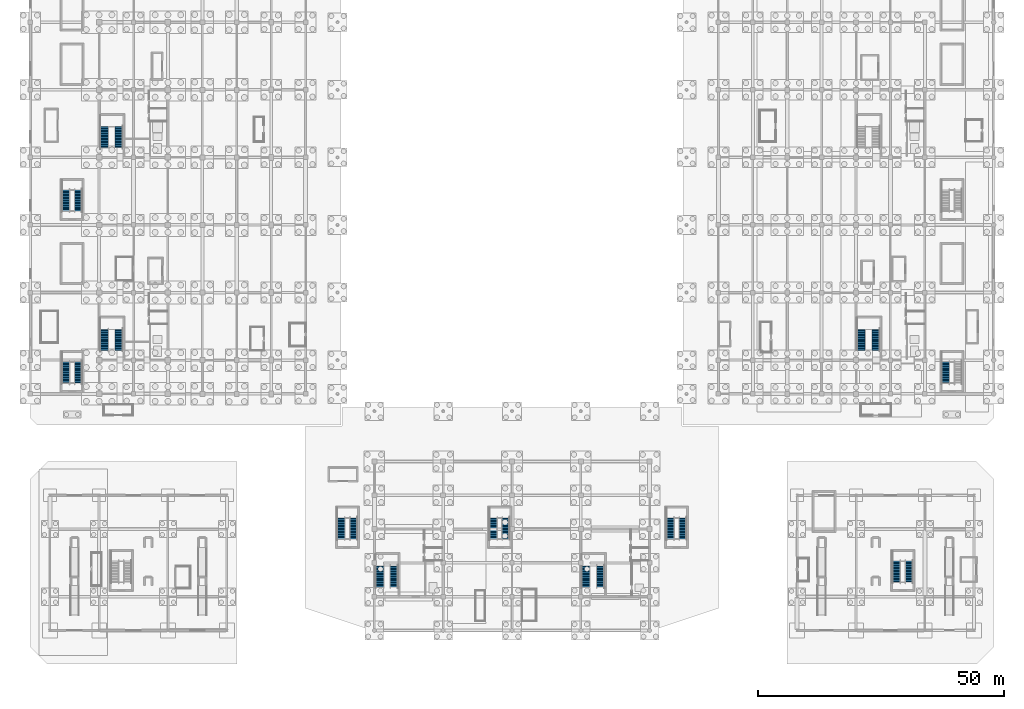
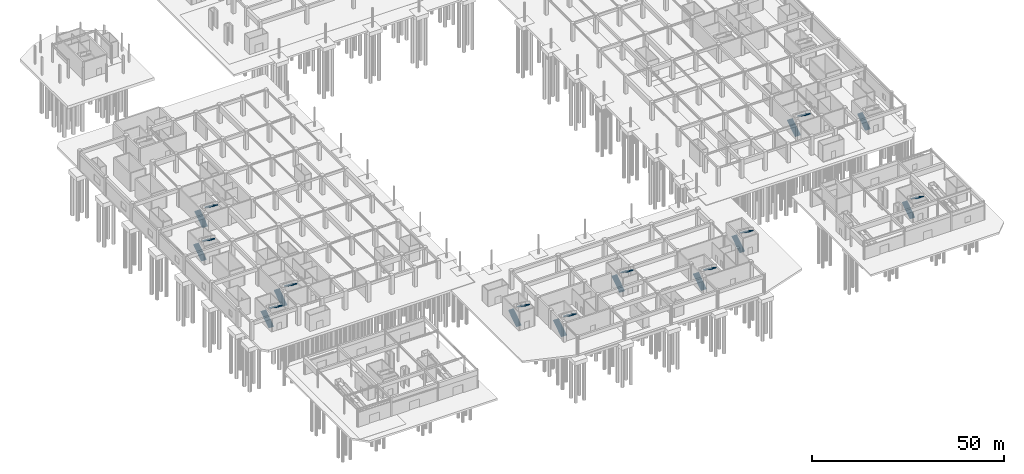
# One storey, part 52 of 62: 23 stair flights, 12 elements without a shape of their own.
"""IFC4 building model written with IfcOpenShell, lengths in metres."""

from ifc_helpers import new_model, si_unit, direction, frame, origin, place, context, subcontext, project, spatial, polyline, outline, extrude, material, type_object, element, aggregate, save


model = new_model("IFC4")

# Units and contexts
model_context = context("Model", 3, precision=1e-05, world=origin(), true_north=direction((0.0, 1.0)))
body_context = subcontext(model_context, "Body", "Model", "MODEL_VIEW")
ifc_project = project(units=[si_unit("LENGTHUNIT", "METRE"), si_unit("AREAUNIT", "SQUARE_METRE"), si_unit("VOLUMEUNIT", "CUBIC_METRE"), si_unit("PLANEANGLEUNIT", "RADIAN"), si_unit("MASSUNIT", "GRAM", prefix="KILO")], contexts=[model_context])

# Site, building, storey
site_placement = place(None, origin())
site = spatial("IfcSite", under=ifc_project, at=site_placement, CompositionType="ELEMENT")
building_placement = place(site_placement, origin())
building = spatial("IfcBuilding", under=site, at=building_placement, Name="Linyun Crest Stadium", CompositionType="ELEMENT")
storey_placement = place(building_placement, frame((0.0, 0.0, -6.0)))
storey = spatial("IfcBuildingStorey", under=building, at=storey_placement, Name="B1", CompositionType="ELEMENT", Elevation=-6.0)

# Stair, stair flights
ifc_material_1 = material(Name="Concrete C40", Category="concrete")
stair_type = type_object("IfcStairType", Name="STA01", PredefinedType="HALF_TURN_STAIR", material=ifc_material_1)
stair_1_placement = place(storey_placement, origin())
stair_1 = element("IfcStair", 1, at=stair_1_placement, inside=storey, type_object=stair_type, Name="Evacuation stair STR-01-B1", PredefinedType="HALF_TURN_STAIR")
ifc_material_2 = material(Name="Concrete C40", Category="concrete")
stair_flight_type_1 = type_object("IfcStairFlightType", Name="STF01", PredefinedType="STRAIGHT", material=ifc_material_2)
stair_flight_1_placement = place(storey_placement, frame((-82.9599609375, -37.135009765625, 0.0), z_axis=(0.0, 0.0, 1.0), x_axis=(0.0, 1.0, 0.0)))
stair_flight_1 = element("IfcStairFlight", 2, at=stair_flight_1_placement, type_object=stair_flight_type_1, Name="STR-01-B1 flight 1", NumberOfRisers=18, NumberOfTreads=17, PredefinedType="STRAIGHT", RiserHeight=0.166666667, TreadLength=0.25, context=body_context, shape_type="SweptSolid", body=[
    extrude(outline(polyline([(0.0, 0.0), (0.0, 0.166748046875), (0.25, 0.166748046875), (0.25, 0.333251953125), (0.5, 0.333251953125), (0.5, 0.5), (0.75, 0.5), (0.75, 0.666748046875), (1.0, 0.666748046875), (1.0, 0.833251953125), (1.25, 0.833251953125), (1.25, 1.0), (1.5, 1.0), (1.5, 1.166748046875), (1.75, 1.166748046875), (1.75, 1.333251953125), (2.0, 1.333251953125), (2.0, 1.5), (2.25, 1.5), (2.25, 1.666748046875), (2.5, 1.666748046875), (2.5, 1.833251953125), (2.75, 1.833251953125), (2.75, 2.0), (3.0, 2.0), (3.0, 2.166748046875), (3.25, 2.166748046875), (3.25, 2.333251953125), (3.5, 2.333251953125), (3.5, 2.5), (3.75, 2.5), (3.75, 2.666748046875), (4.0, 2.666748046875), (4.0, 2.833251953125), (4.25, 2.833251953125), (4.25, 3.0), (4.25, 2.6171875), (0.324462890625, 0.0), (0.0, 0.0)])), frame((0.0, 0.824951171875, 0.0), z_axis=(0.0, -1.0, 0.0), x_axis=(1.0, 0.0, 0.0)), (0.0, 0.0, 1.0), 1.64990234375),
])
stair_flight_2_placement = place(storey_placement, frame((-79.965087890625, -32.885009765625, 3.0), z_axis=(0.0, 0.0, 1.0), x_axis=(0.0, -1.0, 0.0)))
stair_flight_2 = element("IfcStairFlight", 3, at=stair_flight_2_placement, type_object=stair_flight_type_1, Name="STR-01-B1 flight 2", NumberOfRisers=18, NumberOfTreads=17, PredefinedType="STRAIGHT", RiserHeight=0.166666667, TreadLength=0.25, context=body_context, shape_type="SweptSolid", body=[
    extrude(outline(polyline([(0.0, 0.0), (0.0, 0.166748046875), (0.25, 0.166748046875), (0.25, 0.333251953125), (0.5, 0.333251953125), (0.5, 0.5), (0.75, 0.5), (0.75, 0.666748046875), (1.0, 0.666748046875), (1.0, 0.833251953125), (1.25, 0.833251953125), (1.25, 1.0), (1.5, 1.0), (1.5, 1.166748046875), (1.75, 1.166748046875), (1.75, 1.333251953125), (2.0, 1.333251953125), (2.0, 1.5), (2.25, 1.5), (2.25, 1.666748046875), (2.5, 1.666748046875), (2.5, 1.833251953125), (2.75, 1.833251953125), (2.75, 2.0), (3.0, 2.0), (3.0, 2.166748046875), (3.25, 2.166748046875), (3.25, 2.333251953125), (3.5, 2.333251953125), (3.5, 2.5), (3.75, 2.5), (3.75, 2.666748046875), (4.0, 2.666748046875), (4.0, 2.833251953125), (4.25, 2.833251953125), (4.25, 3.0), (4.25, 2.6171875), (0.324462890625, 0.0), (0.0, 0.0)])), frame((0.0, 0.824951171875, 0.0), z_axis=(0.0, -1.0, 0.0), x_axis=(1.0, 0.0, 0.0)), (0.0, 0.0, 1.0), 1.64990234375),
])
aggregate(stair_1, [stair_flight_1, stair_flight_2])

stair_2_placement = place(storey_placement, origin())
stair_2 = element("IfcStair", 4, at=stair_2_placement, inside=storey, type_object=stair_type, Name="Evacuation stair STR-02-B1", PredefinedType="HALF_TURN_STAIR")
stair_flight_3_placement = place(storey_placement, frame((-82.93505859375, 4.114990234375, 0.0), z_axis=(0.0, 0.0, 1.0), x_axis=(0.0, 1.0, 0.0)))
stair_flight_3 = element("IfcStairFlight", 5, at=stair_flight_3_placement, type_object=stair_flight_type_1, Name="STR-02-B1 flight 1", NumberOfRisers=18, NumberOfTreads=17, PredefinedType="STRAIGHT", RiserHeight=0.166666667, TreadLength=0.25, context=body_context, shape_type="SweptSolid", body=[
    extrude(outline(polyline([(0.0, 0.0), (0.0, 0.166748046875), (0.25, 0.166748046875), (0.25, 0.333251953125), (0.5, 0.333251953125), (0.5, 0.5), (0.75, 0.5), (0.75, 0.666748046875), (1.0, 0.666748046875), (1.0, 0.833251953125), (1.25, 0.833251953125), (1.25, 1.0), (1.5, 1.0), (1.5, 1.166748046875), (1.75, 1.166748046875), (1.75, 1.333251953125), (2.0, 1.333251953125), (2.0, 1.5), (2.25, 1.5), (2.25, 1.666748046875), (2.5, 1.666748046875), (2.5, 1.833251953125), (2.75, 1.833251953125), (2.75, 2.0), (3.0, 2.0), (3.0, 2.166748046875), (3.25, 2.166748046875), (3.25, 2.333251953125), (3.5, 2.333251953125), (3.5, 2.5), (3.75, 2.5), (3.75, 2.666748046875), (4.0, 2.666748046875), (4.0, 2.833251953125), (4.25, 2.833251953125), (4.25, 3.0), (4.25, 2.6171875), (0.324462890625, 0.0), (0.0, 0.0)])), frame((0.0, 0.824951171875, 0.0), z_axis=(0.0, -1.0, 0.0), x_axis=(1.0, 0.0, 0.0)), (0.0, 0.0, 1.0), 1.64990234375),
])
stair_flight_4_placement = place(storey_placement, frame((-79.965087890625, 8.364990234375, 3.0), z_axis=(0.0, 0.0, 1.0), x_axis=(0.0, -1.0, 0.0)))
stair_flight_4 = element("IfcStairFlight", 6, at=stair_flight_4_placement, type_object=stair_flight_type_1, Name="STR-02-B1 flight 2", NumberOfRisers=18, NumberOfTreads=17, PredefinedType="STRAIGHT", RiserHeight=0.166666667, TreadLength=0.25, context=body_context, shape_type="SweptSolid", body=[
    extrude(outline(polyline([(0.0, 0.0), (0.0, 0.166748046875), (0.25, 0.166748046875), (0.25, 0.333251953125), (0.5, 0.333251953125), (0.5, 0.5), (0.75, 0.5), (0.75, 0.666748046875), (1.0, 0.666748046875), (1.0, 0.833251953125), (1.25, 0.833251953125), (1.25, 1.0), (1.5, 1.0), (1.5, 1.166748046875), (1.75, 1.166748046875), (1.75, 1.333251953125), (2.0, 1.333251953125), (2.0, 1.5), (2.25, 1.5), (2.25, 1.666748046875), (2.5, 1.666748046875), (2.5, 1.833251953125), (2.75, 1.833251953125), (2.75, 2.0), (3.0, 2.0), (3.0, 2.166748046875), (3.25, 2.166748046875), (3.25, 2.333251953125), (3.5, 2.333251953125), (3.5, 2.5), (3.75, 2.5), (3.75, 2.666748046875), (4.0, 2.666748046875), (4.0, 2.833251953125), (4.25, 2.833251953125), (4.25, 3.0), (4.25, 2.6171875), (0.324462890625, 0.0), (0.0, 0.0)])), frame((0.0, 0.824951171875, 0.0), z_axis=(0.0, -1.0, 0.0), x_axis=(1.0, 0.0, 0.0)), (0.0, 0.0, 1.0), 1.64990234375),
])
aggregate(stair_2, [stair_flight_3, stair_flight_4])

stair_3_placement = place(storey_placement, origin())
stair_3 = element("IfcStair", 7, at=stair_3_placement, inside=storey, type_object=stair_type, Name="Evacuation stair STR-04-B1", PredefinedType="HALF_TURN_STAIR")
stair_flight_5_placement = place(storey_placement, frame((71.0400390625, -37.135009765625, 0.0), z_axis=(0.0, 0.0, 1.0), x_axis=(0.0, 1.0, 0.0)))
stair_flight_5 = element("IfcStairFlight", 8, at=stair_flight_5_placement, type_object=stair_flight_type_1, Name="STR-04-B1 flight 1", NumberOfRisers=18, NumberOfTreads=17, PredefinedType="STRAIGHT", RiserHeight=0.166666667, TreadLength=0.25, context=body_context, shape_type="SweptSolid", body=[
    extrude(outline(polyline([(0.0, 0.0), (0.0, 0.166748046875), (0.25, 0.166748046875), (0.25, 0.333251953125), (0.5, 0.333251953125), (0.5, 0.5), (0.75, 0.5), (0.75, 0.666748046875), (1.0, 0.666748046875), (1.0, 0.833251953125), (1.25, 0.833251953125), (1.25, 1.0), (1.5, 1.0), (1.5, 1.166748046875), (1.75, 1.166748046875), (1.75, 1.333251953125), (2.0, 1.333251953125), (2.0, 1.5), (2.25, 1.5), (2.25, 1.666748046875), (2.5, 1.666748046875), (2.5, 1.833251953125), (2.75, 1.833251953125), (2.75, 2.0), (3.0, 2.0), (3.0, 2.166748046875), (3.25, 2.166748046875), (3.25, 2.333251953125), (3.5, 2.333251953125), (3.5, 2.5), (3.75, 2.5), (3.75, 2.666748046875), (4.0, 2.666748046875), (4.0, 2.833251953125), (4.25, 2.833251953125), (4.25, 3.0), (4.25, 2.6171875), (0.324462890625, 0.0), (0.0, 0.0)])), frame((0.0, 0.824951171875, 0.0), z_axis=(0.0, -1.0, 0.0), x_axis=(1.0, 0.0, 0.0)), (0.0, 0.0, 1.0), 1.64990234375),
])
stair_flight_6_placement = place(storey_placement, frame((74.034912109375, -32.885009765625, 3.0), z_axis=(0.0, 0.0, 1.0), x_axis=(0.0, -1.0, 0.0)))
stair_flight_6 = element("IfcStairFlight", 9, at=stair_flight_6_placement, type_object=stair_flight_type_1, Name="STR-04-B1 flight 2", NumberOfRisers=18, NumberOfTreads=17, PredefinedType="STRAIGHT", RiserHeight=0.166666667, TreadLength=0.25, context=body_context, shape_type="SweptSolid", body=[
    extrude(outline(polyline([(0.0, 0.0), (0.0, 0.166748046875), (0.25, 0.166748046875), (0.25, 0.333251953125), (0.5, 0.333251953125), (0.5, 0.5), (0.75, 0.5), (0.75, 0.666748046875), (1.0, 0.666748046875), (1.0, 0.833251953125), (1.25, 0.833251953125), (1.25, 1.0), (1.5, 1.0), (1.5, 1.166748046875), (1.75, 1.166748046875), (1.75, 1.333251953125), (2.0, 1.333251953125), (2.0, 1.5), (2.25, 1.5), (2.25, 1.666748046875), (2.5, 1.666748046875), (2.5, 1.833251953125), (2.75, 1.833251953125), (2.75, 2.0), (3.0, 2.0), (3.0, 2.166748046875), (3.25, 2.166748046875), (3.25, 2.333251953125), (3.5, 2.333251953125), (3.5, 2.5), (3.75, 2.5), (3.75, 2.666748046875), (4.0, 2.666748046875), (4.0, 2.833251953125), (4.25, 2.833251953125), (4.25, 3.0), (4.25, 2.6171875), (0.324462890625, 0.0), (0.0, 0.0)])), frame((0.0, 0.824951171875, 0.0), z_axis=(0.0, -1.0, 0.0), x_axis=(1.0, 0.0, 0.0)), (0.0, 0.0, 1.0), 1.64990234375),
])
aggregate(stair_3, [stair_flight_5, stair_flight_6])

stair_4_placement = place(storey_placement, origin())
stair_4 = element("IfcStair", 10, at=stair_4_placement, inside=storey, type_object=stair_type, Name="Evacuation stair STR-09-B1", PredefinedType="HALF_TURN_STAIR")
stair_flight_7_placement = place(storey_placement, frame((-26.909912109375, -85.260009765625, 0.0), z_axis=(0.0, 0.0, 1.0), x_axis=(0.0, 1.0, 0.0)))
stair_flight_7 = element("IfcStairFlight", 11, at=stair_flight_7_placement, type_object=stair_flight_type_1, Name="STR-09-B1 flight 1", NumberOfRisers=18, NumberOfTreads=17, PredefinedType="STRAIGHT", RiserHeight=0.166666667, TreadLength=0.25, context=body_context, shape_type="SweptSolid", body=[
    extrude(outline(polyline([(0.0, 0.0), (0.0, 0.166748046875), (0.25, 0.166748046875), (0.25, 0.333251953125), (0.5, 0.333251953125), (0.5, 0.5), (0.75, 0.5), (0.75, 0.666748046875), (1.0, 0.666748046875), (1.0, 0.833251953125), (1.25, 0.833251953125), (1.25, 1.0), (1.5, 1.0), (1.5, 1.166748046875), (1.75, 1.166748046875), (1.75, 1.333251953125), (2.0, 1.333251953125), (2.0, 1.5), (2.25, 1.5), (2.25, 1.666748046875), (2.5, 1.666748046875), (2.5, 1.833251953125), (2.75, 1.833251953125), (2.75, 2.0), (3.0, 2.0), (3.0, 2.166748046875), (3.25, 2.166748046875), (3.25, 2.333251953125), (3.5, 2.333251953125), (3.5, 2.5), (3.75, 2.5), (3.75, 2.666748046875), (4.0, 2.666748046875), (4.0, 2.833251953125), (4.25, 2.833251953125), (4.25, 3.0), (4.25, 2.6171875), (0.324462890625, 0.0), (0.0, 0.0)])), frame((0.0, 0.824951171875, 0.0), z_axis=(0.0, -1.0, 0.0), x_axis=(1.0, 0.0, 0.0)), (0.0, 0.0, 1.0), 1.64990234375),
])
stair_flight_8_placement = place(storey_placement, frame((-23.965087890625, -81.010009765625, 3.0), z_axis=(0.0, 0.0, 1.0), x_axis=(0.0, -1.0, 0.0)))
stair_flight_8 = element("IfcStairFlight", 12, at=stair_flight_8_placement, type_object=stair_flight_type_1, Name="STR-09-B1 flight 2", NumberOfRisers=18, NumberOfTreads=17, PredefinedType="STRAIGHT", RiserHeight=0.166666667, TreadLength=0.25, context=body_context, shape_type="SweptSolid", body=[
    extrude(outline(polyline([(0.0, 0.0), (0.0, 0.166748046875), (0.25, 0.166748046875), (0.25, 0.333251953125), (0.5, 0.333251953125), (0.5, 0.5), (0.75, 0.5), (0.75, 0.666748046875), (1.0, 0.666748046875), (1.0, 0.833251953125), (1.25, 0.833251953125), (1.25, 1.0), (1.5, 1.0), (1.5, 1.166748046875), (1.75, 1.166748046875), (1.75, 1.333251953125), (2.0, 1.333251953125), (2.0, 1.5), (2.25, 1.5), (2.25, 1.666748046875), (2.5, 1.666748046875), (2.5, 1.833251953125), (2.75, 1.833251953125), (2.75, 2.0), (3.0, 2.0), (3.0, 2.166748046875), (3.25, 2.166748046875), (3.25, 2.333251953125), (3.5, 2.333251953125), (3.5, 2.5), (3.75, 2.5), (3.75, 2.666748046875), (4.0, 2.666748046875), (4.0, 2.833251953125), (4.25, 2.833251953125), (4.25, 3.0), (4.25, 2.6171875), (0.324462890625, 0.0), (0.0, 0.0)])), frame((0.0, 0.824951171875, 0.0), z_axis=(0.0, -1.0, 0.0), x_axis=(1.0, 0.0, 0.0)), (0.0, 0.0, 1.0), 1.64990234375),
])
aggregate(stair_4, [stair_flight_7, stair_flight_8])

stair_5_placement = place(storey_placement, origin())
stair_5 = element("IfcStair", 13, at=stair_5_placement, inside=storey, type_object=stair_type, Name="Evacuation stair STR-10-B1", PredefinedType="HALF_TURN_STAIR")
stair_flight_9_placement = place(storey_placement, frame((15.0400390625, -85.260009765625, 0.0), z_axis=(0.0, 0.0, 1.0), x_axis=(0.0, 1.0, 0.0)))
stair_flight_9 = element("IfcStairFlight", 14, at=stair_flight_9_placement, type_object=stair_flight_type_1, Name="STR-10-B1 flight 1", NumberOfRisers=18, NumberOfTreads=17, PredefinedType="STRAIGHT", RiserHeight=0.166666667, TreadLength=0.25, context=body_context, shape_type="SweptSolid", body=[
    extrude(outline(polyline([(0.0, 0.0), (0.0, 0.166748046875), (0.25, 0.166748046875), (0.25, 0.333251953125), (0.5, 0.333251953125), (0.5, 0.5), (0.75, 0.5), (0.75, 0.666748046875), (1.0, 0.666748046875), (1.0, 0.833251953125), (1.25, 0.833251953125), (1.25, 1.0), (1.5, 1.0), (1.5, 1.166748046875), (1.75, 1.166748046875), (1.75, 1.333251953125), (2.0, 1.333251953125), (2.0, 1.5), (2.25, 1.5), (2.25, 1.666748046875), (2.5, 1.666748046875), (2.5, 1.833251953125), (2.75, 1.833251953125), (2.75, 2.0), (3.0, 2.0), (3.0, 2.166748046875), (3.25, 2.166748046875), (3.25, 2.333251953125), (3.5, 2.333251953125), (3.5, 2.5), (3.75, 2.5), (3.75, 2.666748046875), (4.0, 2.666748046875), (4.0, 2.833251953125), (4.25, 2.833251953125), (4.25, 3.0), (4.25, 2.6171875), (0.324462890625, 0.0), (0.0, 0.0)])), frame((0.0, 0.824951171875, 0.0), z_axis=(0.0, -1.0, 0.0), x_axis=(1.0, 0.0, 0.0)), (0.0, 0.0, 1.0), 1.64990234375),
])
stair_flight_10_placement = place(storey_placement, frame((18.034912109375, -81.010009765625, 3.0), z_axis=(0.0, 0.0, 1.0), x_axis=(0.0, -1.0, 0.0)))
stair_flight_10 = element("IfcStairFlight", 15, at=stair_flight_10_placement, type_object=stair_flight_type_1, Name="STR-10-B1 flight 2", NumberOfRisers=18, NumberOfTreads=17, PredefinedType="STRAIGHT", RiserHeight=0.166666667, TreadLength=0.25, context=body_context, shape_type="SweptSolid", body=[
    extrude(outline(polyline([(0.0, 0.0), (0.0, 0.166748046875), (0.25, 0.166748046875), (0.25, 0.333251953125), (0.5, 0.333251953125), (0.5, 0.5), (0.75, 0.5), (0.75, 0.666748046875), (1.0, 0.666748046875), (1.0, 0.833251953125), (1.25, 0.833251953125), (1.25, 1.0), (1.5, 1.0), (1.5, 1.166748046875), (1.75, 1.166748046875), (1.75, 1.333251953125), (2.0, 1.333251953125), (2.0, 1.5), (2.25, 1.5), (2.25, 1.666748046875), (2.5, 1.666748046875), (2.5, 1.833251953125), (2.75, 1.833251953125), (2.75, 2.0), (3.0, 2.0), (3.0, 2.166748046875), (3.25, 2.166748046875), (3.25, 2.333251953125), (3.5, 2.333251953125), (3.5, 2.5), (3.75, 2.5), (3.75, 2.666748046875), (4.0, 2.666748046875), (4.0, 2.833251953125), (4.25, 2.833251953125), (4.25, 3.0), (4.25, 2.6171875), (0.324462890625, 0.0), (0.0, 0.0)])), frame((0.0, 0.824951171875, 0.0), z_axis=(0.0, -1.0, 0.0), x_axis=(1.0, 0.0, 0.0)), (0.0, 0.0, 1.0), 1.64990234375),
])
aggregate(stair_5, [stair_flight_9, stair_flight_10])

stair_6_placement = place(storey_placement, origin())
stair_6 = element("IfcStair", 16, at=stair_6_placement, inside=storey, type_object=stair_type, Name="Vomitory evacuation stair STR-13-B1", PredefinedType="HALF_TURN_STAIR")
ifc_material_3 = material(Name="Concrete C40", Category="concrete")
stair_flight_type_2 = type_object("IfcStairFlightType", Name="STF02", PredefinedType="STRAIGHT", material=ifc_material_3)
stair_flight_11_placement = place(storey_placement, frame((-90.784912109375, -43.780029296875, 0.0), z_axis=(0.0, 0.0, 1.0), x_axis=(0.0, 1.0, 0.0)))
stair_flight_11 = element("IfcStairFlight", 17, at=stair_flight_11_placement, type_object=stair_flight_type_2, Name="STR-13-B1 flight 1", NumberOfRisers=18, NumberOfTreads=17, PredefinedType="STRAIGHT", RiserHeight=0.166666667, TreadLength=0.25, context=body_context, shape_type="SweptSolid", body=[
    extrude(outline(polyline([(0.0, 0.0), (0.0, 0.166748046875), (0.25, 0.166748046875), (0.25, 0.333251953125), (0.5, 0.333251953125), (0.5, 0.5), (0.75, 0.5), (0.75, 0.666748046875), (1.0, 0.666748046875), (1.0, 0.833251953125), (1.25, 0.833251953125), (1.25, 1.0), (1.5, 1.0), (1.5, 1.166748046875), (1.75, 1.166748046875), (1.75, 1.333251953125), (2.0, 1.333251953125), (2.0, 1.5), (2.25, 1.5), (2.25, 1.666748046875), (2.5, 1.666748046875), (2.5, 1.833251953125), (2.75, 1.833251953125), (2.75, 2.0), (3.0, 2.0), (3.0, 2.166748046875), (3.25, 2.166748046875), (3.25, 2.333251953125), (3.5, 2.333251953125), (3.5, 2.5), (3.75, 2.5), (3.75, 2.666748046875), (4.0, 2.666748046875), (4.0, 2.833251953125), (4.25, 2.833251953125), (4.25, 3.0), (4.25, 2.6171875), (0.324462890625, 0.0), (0.0, 0.0)])), frame((0.0, 0.77490234375, 0.0), z_axis=(0.0, -1.0, 0.0), x_axis=(1.0, 0.0, 0.0)), (0.0, 0.0, 1.0), 1.550048828125),
])
stair_flight_12_placement = place(storey_placement, frame((-88.215087890625, -39.530029296875, 3.0), z_axis=(0.0, 0.0, 1.0), x_axis=(0.0, -1.0, 0.0)))
stair_flight_12 = element("IfcStairFlight", 18, at=stair_flight_12_placement, type_object=stair_flight_type_2, Name="STR-13-B1 flight 2", NumberOfRisers=18, NumberOfTreads=17, PredefinedType="STRAIGHT", RiserHeight=0.166666667, TreadLength=0.25, context=body_context, shape_type="SweptSolid", body=[
    extrude(outline(polyline([(0.0, 0.0), (0.0, 0.166748046875), (0.25, 0.166748046875), (0.25, 0.333251953125), (0.5, 0.333251953125), (0.5, 0.5), (0.75, 0.5), (0.75, 0.666748046875), (1.0, 0.666748046875), (1.0, 0.833251953125), (1.25, 0.833251953125), (1.25, 1.0), (1.5, 1.0), (1.5, 1.166748046875), (1.75, 1.166748046875), (1.75, 1.333251953125), (2.0, 1.333251953125), (2.0, 1.5), (2.25, 1.5), (2.25, 1.666748046875), (2.5, 1.666748046875), (2.5, 1.833251953125), (2.75, 1.833251953125), (2.75, 2.0), (3.0, 2.0), (3.0, 2.166748046875), (3.25, 2.166748046875), (3.25, 2.333251953125), (3.5, 2.333251953125), (3.5, 2.5), (3.75, 2.5), (3.75, 2.666748046875), (4.0, 2.666748046875), (4.0, 2.833251953125), (4.25, 2.833251953125), (4.25, 3.0), (4.25, 2.6171875), (0.324462890625, 0.0), (0.0, 0.0)])), frame((0.0, 0.77490234375, 0.0), z_axis=(0.0, -1.0, 0.0), x_axis=(1.0, 0.0, 0.0)), (0.0, 0.0, 1.0), 1.550048828125),
])
aggregate(stair_6, [stair_flight_11, stair_flight_12])

stair_7_placement = place(storey_placement, origin())
stair_7 = element("IfcStair", 19, at=stair_7_placement, inside=storey, type_object=stair_type, Name="Vomitory evacuation stair STR-15-B1", PredefinedType="HALF_TURN_STAIR")
stair_flight_13_placement = place(storey_placement, frame((-90.784912109375, -8.780029296875, 0.0), z_axis=(0.0, 0.0, 1.0), x_axis=(0.0, 1.0, 0.0)))
stair_flight_13 = element("IfcStairFlight", 20, at=stair_flight_13_placement, type_object=stair_flight_type_2, Name="STR-15-B1 flight 1", NumberOfRisers=18, NumberOfTreads=17, PredefinedType="STRAIGHT", RiserHeight=0.166666667, TreadLength=0.25, context=body_context, shape_type="SweptSolid", body=[
    extrude(outline(polyline([(0.0, 0.0), (0.0, 0.166748046875), (0.25, 0.166748046875), (0.25, 0.333251953125), (0.5, 0.333251953125), (0.5, 0.5), (0.75, 0.5), (0.75, 0.666748046875), (1.0, 0.666748046875), (1.0, 0.833251953125), (1.25, 0.833251953125), (1.25, 1.0), (1.5, 1.0), (1.5, 1.166748046875), (1.75, 1.166748046875), (1.75, 1.333251953125), (2.0, 1.333251953125), (2.0, 1.5), (2.25, 1.5), (2.25, 1.666748046875), (2.5, 1.666748046875), (2.5, 1.833251953125), (2.75, 1.833251953125), (2.75, 2.0), (3.0, 2.0), (3.0, 2.166748046875), (3.25, 2.166748046875), (3.25, 2.333251953125), (3.5, 2.333251953125), (3.5, 2.5), (3.75, 2.5), (3.75, 2.666748046875), (4.0, 2.666748046875), (4.0, 2.833251953125), (4.25, 2.833251953125), (4.25, 3.0), (4.25, 2.6171875), (0.324462890625, 0.0), (0.0, 0.0)])), frame((0.0, 0.77490234375, 0.0), z_axis=(0.0, -1.0, 0.0), x_axis=(1.0, 0.0, 0.0)), (0.0, 0.0, 1.0), 1.550048828125),
])
stair_flight_14_placement = place(storey_placement, frame((-88.215087890625, -4.530029296875, 3.0), z_axis=(0.0, 0.0, 1.0), x_axis=(0.0, -1.0, 0.0)))
stair_flight_14 = element("IfcStairFlight", 21, at=stair_flight_14_placement, type_object=stair_flight_type_2, Name="STR-15-B1 flight 2", NumberOfRisers=18, NumberOfTreads=17, PredefinedType="STRAIGHT", RiserHeight=0.166666667, TreadLength=0.25, context=body_context, shape_type="SweptSolid", body=[
    extrude(outline(polyline([(0.0, 0.0), (0.0, 0.166748046875), (0.25, 0.166748046875), (0.25, 0.333251953125), (0.5, 0.333251953125), (0.5, 0.5), (0.75, 0.5), (0.75, 0.666748046875), (1.0, 0.666748046875), (1.0, 0.833251953125), (1.25, 0.833251953125), (1.25, 1.0), (1.5, 1.0), (1.5, 1.166748046875), (1.75, 1.166748046875), (1.75, 1.333251953125), (2.0, 1.333251953125), (2.0, 1.5), (2.25, 1.5), (2.25, 1.666748046875), (2.5, 1.666748046875), (2.5, 1.833251953125), (2.75, 1.833251953125), (2.75, 2.0), (3.0, 2.0), (3.0, 2.166748046875), (3.25, 2.166748046875), (3.25, 2.333251953125), (3.5, 2.333251953125), (3.5, 2.5), (3.75, 2.5), (3.75, 2.666748046875), (4.0, 2.666748046875), (4.0, 2.833251953125), (4.25, 2.833251953125), (4.25, 3.0), (4.25, 2.6171875), (0.324462890625, 0.0), (0.0, 0.0)])), frame((0.0, 0.77490234375, 0.0), z_axis=(0.0, -1.0, 0.0), x_axis=(1.0, 0.0, 0.0)), (0.0, 0.0, 1.0), 1.550048828125),
])
aggregate(stair_7, [stair_flight_13, stair_flight_14])

# Stair, stair flight
stair_8_placement = place(storey_placement, origin())
stair_8 = element("IfcStair", 22, at=stair_8_placement, inside=storey, type_object=stair_type, Name="Vomitory evacuation stair STR-18-B1", PredefinedType="HALF_TURN_STAIR")
stair_flight_15_placement = place(storey_placement, frame((88.215087890625, -43.780029296875, 0.0), z_axis=(0.0, 0.0, 1.0), x_axis=(0.0, 1.0, 0.0)))
stair_flight_15 = element("IfcStairFlight", 23, at=stair_flight_15_placement, type_object=stair_flight_type_2, Name="STR-18-B1 flight 1", NumberOfRisers=18, NumberOfTreads=17, PredefinedType="STRAIGHT", RiserHeight=0.166666667, TreadLength=0.25, context=body_context, shape_type="SweptSolid", body=[
    extrude(outline(polyline([(0.0, 0.0), (0.0, 0.166748046875), (0.25, 0.166748046875), (0.25, 0.333251953125), (0.5, 0.333251953125), (0.5, 0.5), (0.75, 0.5), (0.75, 0.666748046875), (1.0, 0.666748046875), (1.0, 0.833251953125), (1.25, 0.833251953125), (1.25, 1.0), (1.5, 1.0), (1.5, 1.166748046875), (1.75, 1.166748046875), (1.75, 1.333251953125), (2.0, 1.333251953125), (2.0, 1.5), (2.25, 1.5), (2.25, 1.666748046875), (2.5, 1.666748046875), (2.5, 1.833251953125), (2.75, 1.833251953125), (2.75, 2.0), (3.0, 2.0), (3.0, 2.166748046875), (3.25, 2.166748046875), (3.25, 2.333251953125), (3.5, 2.333251953125), (3.5, 2.5), (3.75, 2.5), (3.75, 2.666748046875), (4.0, 2.666748046875), (4.0, 2.833251953125), (4.25, 2.833251953125), (4.25, 3.0), (4.25, 2.6171875), (0.324462890625, 0.0), (0.0, 0.0)])), frame((0.0, 0.77490234375, 0.0), z_axis=(0.0, -1.0, 0.0), x_axis=(1.0, 0.0, 0.0)), (0.0, 0.0, 1.0), 1.550048828125),
])
aggregate(stair_8, [stair_flight_15])

# Stair, stair flights
stair_9_placement = place(storey_placement, origin())
stair_9 = element("IfcStair", 24, at=stair_9_placement, inside=storey, type_object=stair_type, Name="Vomitory evacuation stair STR-27-B1", PredefinedType="HALF_TURN_STAIR")
stair_flight_16_placement = place(storey_placement, frame((-34.784912109375, -75.47998046875, 0.0), z_axis=(0.0, 0.0, 1.0), x_axis=(0.0, 1.0, 0.0)))
stair_flight_16 = element("IfcStairFlight", 25, at=stair_flight_16_placement, type_object=stair_flight_type_2, Name="STR-27-B1 flight 1", NumberOfRisers=18, NumberOfTreads=17, PredefinedType="STRAIGHT", RiserHeight=0.166666667, TreadLength=0.25, context=body_context, shape_type="SweptSolid", body=[
    extrude(outline(polyline([(0.0, 0.0), (0.0, 0.166748046875), (0.25, 0.166748046875), (0.25, 0.333251953125), (0.5, 0.333251953125), (0.5, 0.5), (0.75, 0.5), (0.75, 0.666748046875), (1.0, 0.666748046875), (1.0, 0.833251953125), (1.25, 0.833251953125), (1.25, 1.0), (1.5, 1.0), (1.5, 1.166748046875), (1.75, 1.166748046875), (1.75, 1.333251953125), (2.0, 1.333251953125), (2.0, 1.5), (2.25, 1.5), (2.25, 1.666748046875), (2.5, 1.666748046875), (2.5, 1.833251953125), (2.75, 1.833251953125), (2.75, 2.0), (3.0, 2.0), (3.0, 2.166748046875), (3.25, 2.166748046875), (3.25, 2.333251953125), (3.5, 2.333251953125), (3.5, 2.5), (3.75, 2.5), (3.75, 2.666748046875), (4.0, 2.666748046875), (4.0, 2.833251953125), (4.25, 2.833251953125), (4.25, 3.0), (4.25, 2.6171875), (0.324462890625, 0.0), (0.0, 0.0)])), frame((0.0, 0.77490234375, 0.0), z_axis=(0.0, -1.0, 0.0), x_axis=(1.0, 0.0, 0.0)), (0.0, 0.0, 1.0), 1.550048828125),
])
stair_flight_17_placement = place(storey_placement, frame((-32.215087890625, -71.22998046875, 3.0), z_axis=(0.0, 0.0, 1.0), x_axis=(0.0, -1.0, 0.0)))
stair_flight_17 = element("IfcStairFlight", 26, at=stair_flight_17_placement, type_object=stair_flight_type_2, Name="STR-27-B1 flight 2", NumberOfRisers=18, NumberOfTreads=17, PredefinedType="STRAIGHT", RiserHeight=0.166666667, TreadLength=0.25, context=body_context, shape_type="SweptSolid", body=[
    extrude(outline(polyline([(0.0, 0.0), (0.0, 0.166748046875), (0.25, 0.166748046875), (0.25, 0.333251953125), (0.5, 0.333251953125), (0.5, 0.5), (0.75, 0.5), (0.75, 0.666748046875), (1.0, 0.666748046875), (1.0, 0.833251953125), (1.25, 0.833251953125), (1.25, 1.0), (1.5, 1.0), (1.5, 1.166748046875), (1.75, 1.166748046875), (1.75, 1.333251953125), (2.0, 1.333251953125), (2.0, 1.5), (2.25, 1.5), (2.25, 1.666748046875), (2.5, 1.666748046875), (2.5, 1.833251953125), (2.75, 1.833251953125), (2.75, 2.0), (3.0, 2.0), (3.0, 2.166748046875), (3.25, 2.166748046875), (3.25, 2.333251953125), (3.5, 2.333251953125), (3.5, 2.5), (3.75, 2.5), (3.75, 2.666748046875), (4.0, 2.666748046875), (4.0, 2.833251953125), (4.25, 2.833251953125), (4.25, 3.0), (4.25, 2.6171875), (0.324462890625, 0.0), (0.0, 0.0)])), frame((0.0, 0.77490234375, 0.0), z_axis=(0.0, -1.0, 0.0), x_axis=(1.0, 0.0, 0.0)), (0.0, 0.0, 1.0), 1.550048828125),
])
aggregate(stair_9, [stair_flight_16, stair_flight_17])

stair_10_placement = place(storey_placement, origin())
stair_10 = element("IfcStair", 27, at=stair_10_placement, inside=storey, type_object=stair_type, Name="Vomitory evacuation stair STR-28-B1", PredefinedType="HALF_TURN_STAIR")
stair_flight_18_placement = place(storey_placement, frame((-3.784912109375, -75.47998046875, 0.0), z_axis=(0.0, 0.0, 1.0), x_axis=(0.0, 1.0, 0.0)))
stair_flight_18 = element("IfcStairFlight", 28, at=stair_flight_18_placement, type_object=stair_flight_type_2, Name="STR-28-B1 flight 1", NumberOfRisers=18, NumberOfTreads=17, PredefinedType="STRAIGHT", RiserHeight=0.166666667, TreadLength=0.25, context=body_context, shape_type="SweptSolid", body=[
    extrude(outline(polyline([(0.0, 0.0), (0.0, 0.166748046875), (0.25, 0.166748046875), (0.25, 0.333251953125), (0.5, 0.333251953125), (0.5, 0.5), (0.75, 0.5), (0.75, 0.666748046875), (1.0, 0.666748046875), (1.0, 0.833251953125), (1.25, 0.833251953125), (1.25, 1.0), (1.5, 1.0), (1.5, 1.166748046875), (1.75, 1.166748046875), (1.75, 1.333251953125), (2.0, 1.333251953125), (2.0, 1.5), (2.25, 1.5), (2.25, 1.666748046875), (2.5, 1.666748046875), (2.5, 1.833251953125), (2.75, 1.833251953125), (2.75, 2.0), (3.0, 2.0), (3.0, 2.166748046875), (3.25, 2.166748046875), (3.25, 2.333251953125), (3.5, 2.333251953125), (3.5, 2.5), (3.75, 2.5), (3.75, 2.666748046875), (4.0, 2.666748046875), (4.0, 2.833251953125), (4.25, 2.833251953125), (4.25, 3.0), (4.25, 2.6171875), (0.324462890625, 0.0), (0.0, 0.0)])), frame((0.0, 0.77490234375, 0.0), z_axis=(0.0, -1.0, 0.0), x_axis=(1.0, 0.0, 0.0)), (0.0, 0.0, 1.0), 1.550048828125),
])
stair_flight_19_placement = place(storey_placement, frame((-1.215087890625, -71.22998046875, 3.0), z_axis=(0.0, 0.0, 1.0), x_axis=(0.0, -1.0, 0.0)))
stair_flight_19 = element("IfcStairFlight", 29, at=stair_flight_19_placement, type_object=stair_flight_type_2, Name="STR-28-B1 flight 2", NumberOfRisers=18, NumberOfTreads=17, PredefinedType="STRAIGHT", RiserHeight=0.166666667, TreadLength=0.25, context=body_context, shape_type="SweptSolid", body=[
    extrude(outline(polyline([(0.0, 0.0), (0.0, 0.166748046875), (0.25, 0.166748046875), (0.25, 0.333251953125), (0.5, 0.333251953125), (0.5, 0.5), (0.75, 0.5), (0.75, 0.666748046875), (1.0, 0.666748046875), (1.0, 0.833251953125), (1.25, 0.833251953125), (1.25, 1.0), (1.5, 1.0), (1.5, 1.166748046875), (1.75, 1.166748046875), (1.75, 1.333251953125), (2.0, 1.333251953125), (2.0, 1.5), (2.25, 1.5), (2.25, 1.666748046875), (2.5, 1.666748046875), (2.5, 1.833251953125), (2.75, 1.833251953125), (2.75, 2.0), (3.0, 2.0), (3.0, 2.166748046875), (3.25, 2.166748046875), (3.25, 2.333251953125), (3.5, 2.333251953125), (3.5, 2.5), (3.75, 2.5), (3.75, 2.666748046875), (4.0, 2.666748046875), (4.0, 2.833251953125), (4.25, 2.833251953125), (4.25, 3.0), (4.25, 2.6171875), (0.324462890625, 0.0), (0.0, 0.0)])), frame((0.0, 0.77490234375, 0.0), z_axis=(0.0, -1.0, 0.0), x_axis=(1.0, 0.0, 0.0)), (0.0, 0.0, 1.0), 1.550048828125),
])
aggregate(stair_10, [stair_flight_18, stair_flight_19])

stair_11_placement = place(storey_placement, origin())
stair_11 = element("IfcStair", 30, at=stair_11_placement, inside=storey, type_object=stair_type, Name="Vomitory evacuation stair STR-29-B1", PredefinedType="HALF_TURN_STAIR")
stair_flight_20_placement = place(storey_placement, frame((32.215087890625, -75.47998046875, 0.0), z_axis=(0.0, 0.0, 1.0), x_axis=(0.0, 1.0, 0.0)))
stair_flight_20 = element("IfcStairFlight", 31, at=stair_flight_20_placement, type_object=stair_flight_type_2, Name="STR-29-B1 flight 1", NumberOfRisers=18, NumberOfTreads=17, PredefinedType="STRAIGHT", RiserHeight=0.166666667, TreadLength=0.25, context=body_context, shape_type="SweptSolid", body=[
    extrude(outline(polyline([(0.0, 0.0), (0.0, 0.166748046875), (0.25, 0.166748046875), (0.25, 0.333251953125), (0.5, 0.333251953125), (0.5, 0.5), (0.75, 0.5), (0.75, 0.666748046875), (1.0, 0.666748046875), (1.0, 0.833251953125), (1.25, 0.833251953125), (1.25, 1.0), (1.5, 1.0), (1.5, 1.166748046875), (1.75, 1.166748046875), (1.75, 1.333251953125), (2.0, 1.333251953125), (2.0, 1.5), (2.25, 1.5), (2.25, 1.666748046875), (2.5, 1.666748046875), (2.5, 1.833251953125), (2.75, 1.833251953125), (2.75, 2.0), (3.0, 2.0), (3.0, 2.166748046875), (3.25, 2.166748046875), (3.25, 2.333251953125), (3.5, 2.333251953125), (3.5, 2.5), (3.75, 2.5), (3.75, 2.666748046875), (4.0, 2.666748046875), (4.0, 2.833251953125), (4.25, 2.833251953125), (4.25, 3.0), (4.25, 2.6171875), (0.324462890625, 0.0), (0.0, 0.0)])), frame((0.0, 0.77490234375, 0.0), z_axis=(0.0, -1.0, 0.0), x_axis=(1.0, 0.0, 0.0)), (0.0, 0.0, 1.0), 1.550048828125),
])
stair_flight_21_placement = place(storey_placement, frame((34.784912109375, -71.22998046875, 3.0), z_axis=(0.0, 0.0, 1.0), x_axis=(0.0, -1.0, 0.0)))
stair_flight_21 = element("IfcStairFlight", 32, at=stair_flight_21_placement, type_object=stair_flight_type_2, Name="STR-29-B1 flight 2", NumberOfRisers=18, NumberOfTreads=17, PredefinedType="STRAIGHT", RiserHeight=0.166666667, TreadLength=0.25, context=body_context, shape_type="SweptSolid", body=[
    extrude(outline(polyline([(0.0, 0.0), (0.0, 0.166748046875), (0.25, 0.166748046875), (0.25, 0.333251953125), (0.5, 0.333251953125), (0.5, 0.5), (0.75, 0.5), (0.75, 0.666748046875), (1.0, 0.666748046875), (1.0, 0.833251953125), (1.25, 0.833251953125), (1.25, 1.0), (1.5, 1.0), (1.5, 1.166748046875), (1.75, 1.166748046875), (1.75, 1.333251953125), (2.0, 1.333251953125), (2.0, 1.5), (2.25, 1.5), (2.25, 1.666748046875), (2.5, 1.666748046875), (2.5, 1.833251953125), (2.75, 1.833251953125), (2.75, 2.0), (3.0, 2.0), (3.0, 2.166748046875), (3.25, 2.166748046875), (3.25, 2.333251953125), (3.5, 2.333251953125), (3.5, 2.5), (3.75, 2.5), (3.75, 2.666748046875), (4.0, 2.666748046875), (4.0, 2.833251953125), (4.25, 2.833251953125), (4.25, 3.0), (4.25, 2.6171875), (0.324462890625, 0.0), (0.0, 0.0)])), frame((0.0, 0.77490234375, 0.0), z_axis=(0.0, -1.0, 0.0), x_axis=(1.0, 0.0, 0.0)), (0.0, 0.0, 1.0), 1.550048828125),
])
aggregate(stair_11, [stair_flight_20, stair_flight_21])

stair_12_placement = place(storey_placement, origin())
stair_12 = element("IfcStair", 33, at=stair_12_placement, inside=storey, type_object=stair_type, Name="Vomitory evacuation stair STR-31-B1", PredefinedType="HALF_TURN_STAIR")
stair_flight_22_placement = place(storey_placement, frame((78.215087890625, -84.280029296875, 0.0), z_axis=(0.0, 0.0, 1.0), x_axis=(0.0, 1.0, 0.0)))
stair_flight_22 = element("IfcStairFlight", 34, at=stair_flight_22_placement, type_object=stair_flight_type_2, Name="STR-31-B1 flight 1", NumberOfRisers=18, NumberOfTreads=17, PredefinedType="STRAIGHT", RiserHeight=0.166666667, TreadLength=0.25, context=body_context, shape_type="SweptSolid", body=[
    extrude(outline(polyline([(0.0, 0.0), (0.0, 0.166748046875), (0.25, 0.166748046875), (0.25, 0.333251953125), (0.5, 0.333251953125), (0.5, 0.5), (0.75, 0.5), (0.75, 0.666748046875), (1.0, 0.666748046875), (1.0, 0.833251953125), (1.25, 0.833251953125), (1.25, 1.0), (1.5, 1.0), (1.5, 1.166748046875), (1.75, 1.166748046875), (1.75, 1.333251953125), (2.0, 1.333251953125), (2.0, 1.5), (2.25, 1.5), (2.25, 1.666748046875), (2.5, 1.666748046875), (2.5, 1.833251953125), (2.75, 1.833251953125), (2.75, 2.0), (3.0, 2.0), (3.0, 2.166748046875), (3.25, 2.166748046875), (3.25, 2.333251953125), (3.5, 2.333251953125), (3.5, 2.5), (3.75, 2.5), (3.75, 2.666748046875), (4.0, 2.666748046875), (4.0, 2.833251953125), (4.25, 2.833251953125), (4.25, 3.0), (4.25, 2.6171875), (0.324462890625, 0.0), (0.0, 0.0)])), frame((0.0, 0.77490234375, 0.0), z_axis=(0.0, -1.0, 0.0), x_axis=(1.0, 0.0, 0.0)), (0.0, 0.0, 1.0), 1.550048828125),
])
stair_flight_23_placement = place(storey_placement, frame((80.784912109375, -80.030029296875, 3.0), z_axis=(0.0, 0.0, 1.0), x_axis=(0.0, -1.0, 0.0)))
stair_flight_23 = element("IfcStairFlight", 35, at=stair_flight_23_placement, type_object=stair_flight_type_2, Name="STR-31-B1 flight 2", NumberOfRisers=18, NumberOfTreads=17, PredefinedType="STRAIGHT", RiserHeight=0.166666667, TreadLength=0.25, context=body_context, shape_type="SweptSolid", body=[
    extrude(outline(polyline([(0.0, 0.0), (0.0, 0.166748046875), (0.25, 0.166748046875), (0.25, 0.333251953125), (0.5, 0.333251953125), (0.5, 0.5), (0.75, 0.5), (0.75, 0.666748046875), (1.0, 0.666748046875), (1.0, 0.833251953125), (1.25, 0.833251953125), (1.25, 1.0), (1.5, 1.0), (1.5, 1.166748046875), (1.75, 1.166748046875), (1.75, 1.333251953125), (2.0, 1.333251953125), (2.0, 1.5), (2.25, 1.5), (2.25, 1.666748046875), (2.5, 1.666748046875), (2.5, 1.833251953125), (2.75, 1.833251953125), (2.75, 2.0), (3.0, 2.0), (3.0, 2.166748046875), (3.25, 2.166748046875), (3.25, 2.333251953125), (3.5, 2.333251953125), (3.5, 2.5), (3.75, 2.5), (3.75, 2.666748046875), (4.0, 2.666748046875), (4.0, 2.833251953125), (4.25, 2.833251953125), (4.25, 3.0), (4.25, 2.6171875), (0.324462890625, 0.0), (0.0, 0.0)])), frame((0.0, 0.77490234375, 0.0), z_axis=(0.0, -1.0, 0.0), x_axis=(1.0, 0.0, 0.0)), (0.0, 0.0, 1.0), 1.550048828125),
])
aggregate(stair_12, [stair_flight_22, stair_flight_23])

save(model, "model.ifc")
